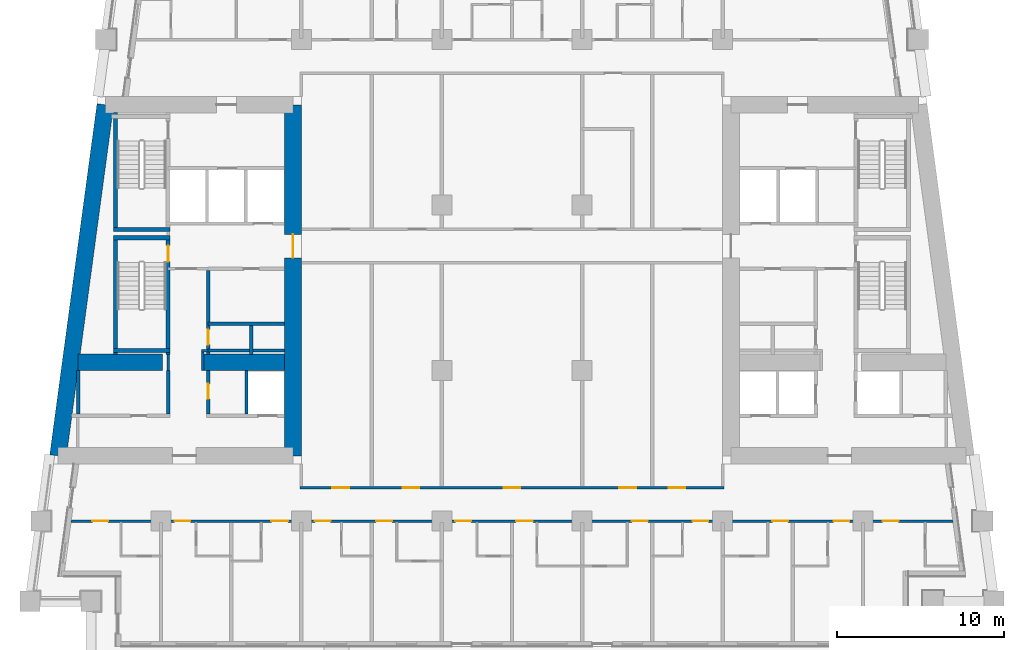
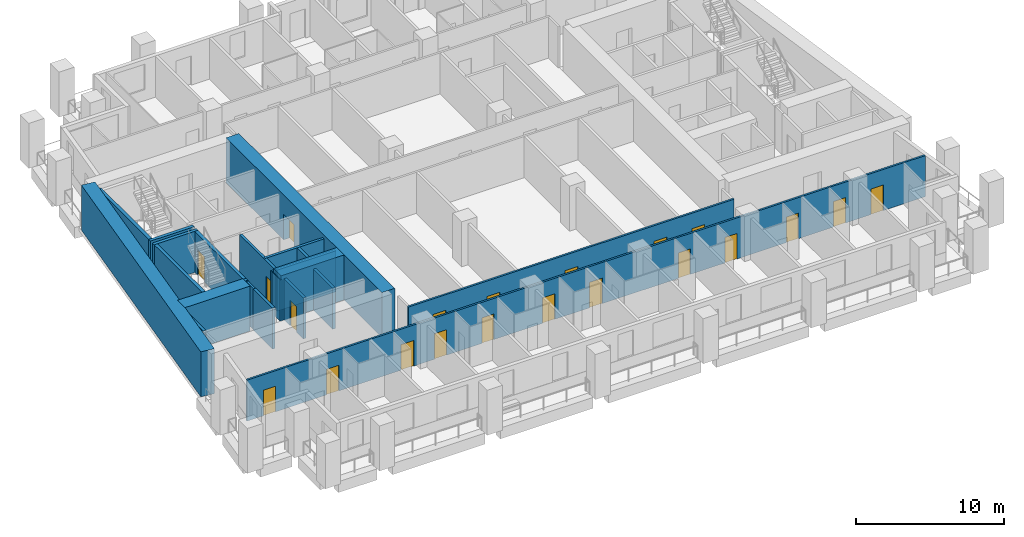
# One storey, part 4 of 14: 23 walls, 21 doors, 21 openings.
"""IFC4 building model written with IfcOpenShell, lengths in metres."""

from ifc_helpers import new_model, si_unit, direction, frame, frame_2d, origin, place, context, subcontext, project, spatial, rectangle, extrude, material, layer, layer_set, type_object, element, fill, save


model = new_model("IFC4")

# Units and contexts
model_context = context("Model", 3, precision=1e-05, world=origin(), true_north=direction((0.0, 1.0)))
body_context = subcontext(model_context, "Body", "Model", "MODEL_VIEW")
ifc_project = project(units=[si_unit("LENGTHUNIT", "METRE"), si_unit("AREAUNIT", "SQUARE_METRE"), si_unit("VOLUMEUNIT", "CUBIC_METRE"), si_unit("PLANEANGLEUNIT", "RADIAN"), si_unit("MASSUNIT", "GRAM", prefix="KILO")], contexts=[model_context])

# Site, building, storey
site_placement = place(None, origin())
site = spatial("IfcSite", under=ifc_project, at=site_placement, CompositionType="ELEMENT")
building_placement = place(site_placement, origin())
building = spatial("IfcBuilding", under=site, at=building_placement, Name="Candeia Pilgrim Tower and Theatre", CompositionType="ELEMENT")
storey_placement = place(building_placement, frame((0.0, 0.0, 120.60009765625)))
storey = spatial("IfcBuildingStorey", under=building, at=storey_placement, Name="L28", CompositionType="ELEMENT", Elevation=120.60009765625)

# Wall, opening, door
ifc_material_1 = material(Name="Concrete C70/85", Category="concrete")
ifc_layer_1 = layer(ifc_material_1, 1.0)
ifc_layer_set_1 = layer_set([ifc_layer_1], Name="Core wall 1000 C70/85")
wall_type_1 = type_object("IfcWallType", Name="Core wall 1000 C70/85", PredefinedType="SHEAR", material=ifc_layer_set_1)
wall_1_placement = place(storey_placement, frame((100.300048828125, 131.89990234375, 0.0), z_axis=(0.0, 0.0, 1.0), x_axis=(0.0, -1.0, 0.0)))
wall_1 = element("IfcWall", 1, at=wall_1_placement, inside=storey, type_object=wall_type_1, Name="Core wall W2", PredefinedType="SHEAR", context=body_context, shape_type="SweptSolid", body=[
    extrude(rectangle(XDim=21.0, YDim=1.0, at=frame_2d((10.5, 0.0))), origin(), (0.0, 0.0, 1.0), 3.699951171875),
])
opening_1_placement = place(wall_1_placement, frame((7.75, 0.0, 0.0)))
opening_1 = element("IfcOpeningElement", 2, at=opening_1_placement, cuts=wall_1, Name="Opening L28-D066", PredefinedType="OPENING", context=body_context, shape_type="SweptSolid", body=[
    extrude(rectangle(XDim=1.39990234375, YDim=2.10009765625, at=frame_2d((0.699951171875, 1.050048828125))), frame((0.0, 0.510009765625, 0.0), z_axis=(0.0, -1.0, 0.0), x_axis=(1.0, 0.0, 0.0)), (0.0, 0.0, 1.0), 1.02001953125),
])
ifc_material_2 = material(Name="Steel fire door set", Category="steel")
door_type_1 = type_object("IfcDoorType", Name="D-1400-FD60", OperationType="NOTDEFINED", PredefinedType="DOOR", material=ifc_material_2)
door_1_placement = place(opening_1_placement, origin())
door_1 = element("IfcDoor", 3, at=door_1_placement, inside=storey, type_object=door_type_1, Name="Door L28-D066", OperationType="SINGLE_SWING_RIGHT", OverallHeight=2.10009765625, OverallWidth=1.39990234375, PredefinedType="DOOR", context=body_context, shape_type="SweptSolid", body=[
    extrude(rectangle(XDim=1.39990234375, YDim=2.10009765625, at=frame_2d((0.699951171875, 1.050048828125))), frame((0.0, 0.02490234375, 0.0), z_axis=(0.0, -1.0, 0.0), x_axis=(1.0, 0.0, 0.0)), (0.0, 0.0, 1.0), 0.050048828125),
])
fill(opening_1, door_1)

# Walls
wall_2_placement = place(storey_placement, frame((86.240966796875, 110.89990234375, 0.0), z_axis=(0.0, 0.0, 1.0), x_axis=(0.133411141623, 0.991060778808, 0.0)))
element("IfcWall", 4, at=wall_2_placement, inside=storey, type_object=wall_type_1, Name="Core wall W4", PredefinedType="SHEAR", context=body_context, shape_type="SweptSolid", body=[
    extrude(rectangle(XDim=21.189453125, YDim=1.0, at=frame_2d((10.5947265625, 0.0))), origin(), (0.0, 0.0, 1.0), 3.699951171875),
])
wall_3_placement = place(storey_placement, frame((87.423095703125, 116.5, 0.0), z_axis=(0.0, 0.0, 1.0), x_axis=(1.0, 0.0, 0.0)))
element("IfcWall", 5, at=wall_3_placement, inside=storey, type_object=wall_type_1, Name="Core wall W5", PredefinedType="SHEAR", context=body_context, shape_type="SweptSolid", body=[
    extrude(rectangle(XDim=5.076904296875, YDim=1.0, at=frame_2d((2.53857421875, 0.0))), origin(), (0.0, 0.0, 1.0), 3.699951171875),
])
wall_4_placement = place(storey_placement, frame((94.89990234375, 116.5, 0.0), z_axis=(0.0, 0.0, 1.0), x_axis=(1.0, 0.0, 0.0)))
element("IfcWall", 6, at=wall_4_placement, inside=storey, type_object=wall_type_1, Name="Core wall W6", PredefinedType="SHEAR", context=body_context, shape_type="SweptSolid", body=[
    extrude(rectangle(XDim=4.900146484375, YDim=1.0, at=frame_2d((2.4501953125, 0.0))), origin(), (0.0, 0.0, 1.0), 3.699951171875),
])
ifc_material_3 = material(Name="Gypsum board partition on steel studs", Category="steel")
ifc_layer_2 = layer(ifc_material_3, 0.14990234375)
ifc_layer_set_2 = layer_set([ifc_layer_2], Name="PW-150 lobby wall")
wall_type_2 = type_object("IfcWallType", Name="PW-150 lobby wall", PredefinedType="PARTITIONING", material=ifc_layer_set_2)
wall_5_placement = place(storey_placement, frame((94.824951171875, 117.199951171875, 0.0), z_axis=(0.0, 0.0, 1.0), x_axis=(1.0, 0.0, 0.0)))
element("IfcWall", 7, at=wall_5_placement, inside=storey, type_object=wall_type_2, Name="Lobby wall L28-020", PredefinedType="PARTITIONING", context=body_context, shape_type="SweptSolid", body=[
    extrude(rectangle(XDim=0.402099609375, YDim=0.14990234375, at=frame_2d((0.201171875, 0.0))), origin(), (0.0, 0.0, 1.0), 3.3798828125),
])
wall_6_placement = place(storey_placement, frame((92.826904296875, 116.0, 0.0), z_axis=(0.0, 0.0, 1.0), x_axis=(0.0, 1.0, 0.0)))
element("IfcWall", 8, at=wall_6_placement, inside=storey, type_object=wall_type_2, Name="Lobby wall L28-060", PredefinedType="PARTITIONING", context=body_context, shape_type="SweptSolid", body=[
    extrude(rectangle(XDim=0.969970703125, YDim=0.14990234375, at=frame_2d((0.48486328125, 0.0))), origin(), (0.0, 0.0, 1.0), 3.3798828125),
])
wall_7_placement = place(storey_placement, frame((94.89990234375, 116.0, 0.0), z_axis=(0.0, 0.0, 1.0), x_axis=(0.0, 1.0, 0.0)))
element("IfcWall", 9, at=wall_7_placement, inside=storey, type_object=wall_type_2, Name="Lobby wall L28-066", PredefinedType="PARTITIONING", context=body_context, shape_type="SweptSolid", body=[
    extrude(rectangle(XDim=1.125, YDim=0.14990234375, at=frame_2d((0.5625, 0.0))), origin(), (0.0, 0.0, 1.0), 3.3798828125),
])

# Wall, openings, doors
ifc_layer_3 = layer(ifc_material_3, 0.14990234375)
ifc_layer_set_3 = layer_set([ifc_layer_3], Name="PW-150 unit wall")
wall_type_3 = type_object("IfcWallType", Name="PW-150 unit wall", PredefinedType="PARTITIONING", material=ifc_layer_set_3)
wall_8_placement = place(storey_placement, frame((87.017578125, 107.0, 0.0), z_axis=(0.0, 0.0, 1.0), x_axis=(1.0, 0.0, 0.0)))
wall_8 = element("IfcWall", 10, at=wall_8_placement, inside=storey, type_object=wall_type_3, Name="Unit wall L28-012", PredefinedType="PARTITIONING", context=body_context, shape_type="SweptSolid", body=[
    extrude(rectangle(XDim=52.7646484375, YDim=0.14990234375, at=frame_2d((26.38232421875, 0.0))), origin(), (0.0, 0.0, 1.0), 3.3798828125),
])
opening_2_placement = place(wall_8_placement, frame((1.2763671875, 0.0, 0.0)))
opening_2 = element("IfcOpeningElement", 11, at=opening_2_placement, cuts=wall_8, Name="Opening L28-D014", PredefinedType="OPENING", context=body_context, shape_type="SweptSolid", body=[
    extrude(rectangle(XDim=0.949951171875, YDim=2.10009765625, at=frame_2d((0.47509765625, 1.050048828125))), frame((0.0, 0.0849609375, 0.0), z_axis=(0.0, -1.0, 0.0), x_axis=(1.0, 0.0, 0.0)), (0.0, 0.0, 1.0), 0.169921875),
])
opening_3_placement = place(wall_8_placement, frame((6.1923828125, 0.0, 0.0)))
opening_3 = element("IfcOpeningElement", 12, at=opening_3_placement, cuts=wall_8, Name="Opening L28-D016", PredefinedType="OPENING", context=body_context, shape_type="SweptSolid", body=[
    extrude(rectangle(XDim=0.949951171875, YDim=2.10009765625, at=frame_2d((0.47509765625, 1.050048828125))), frame((0.0, 0.0849609375, 0.0), z_axis=(0.0, -1.0, 0.0), x_axis=(1.0, 0.0, 0.0)), (0.0, 0.0, 1.0), 0.169921875),
])
opening_4_placement = place(wall_8_placement, frame((11.982421875, 0.0, 0.0)))
opening_4 = element("IfcOpeningElement", 13, at=opening_4_placement, cuts=wall_8, Name="Opening L28-D018", PredefinedType="OPENING", context=body_context, shape_type="SweptSolid", body=[
    extrude(rectangle(XDim=1.0, YDim=2.10009765625, at=frame_2d((0.5, 1.050048828125))), frame((0.0, 0.0849609375, 0.0), z_axis=(0.0, -1.0, 0.0), x_axis=(1.0, 0.0, 0.0)), (0.0, 0.0, 1.0), 0.169921875),
])
opening_5_placement = place(wall_8_placement, frame((14.582275390625, 0.0, 0.0)))
opening_5 = element("IfcOpeningElement", 14, at=opening_5_placement, cuts=wall_8, Name="Opening L28-D020", PredefinedType="OPENING", context=body_context, shape_type="SweptSolid", body=[
    extrude(rectangle(XDim=0.949951171875, YDim=2.10009765625, at=frame_2d((0.47509765625, 1.050048828125))), frame((0.0, 0.0849609375, 0.0), z_axis=(0.0, -1.0, 0.0), x_axis=(1.0, 0.0, 0.0)), (0.0, 0.0, 1.0), 0.169921875),
])
opening_6_placement = place(wall_8_placement, frame((18.25732421875, 0.0, 0.0)))
opening_6 = element("IfcOpeningElement", 15, at=opening_6_placement, cuts=wall_8, Name="Opening L28-D022", PredefinedType="OPENING", context=body_context, shape_type="SweptSolid", body=[
    extrude(rectangle(XDim=0.949951171875, YDim=2.10009765625, at=frame_2d((0.47509765625, 1.050048828125))), frame((0.0, 0.0849609375, 0.0), z_axis=(0.0, -1.0, 0.0), x_axis=(1.0, 0.0, 0.0)), (0.0, 0.0, 1.0), 0.169921875),
])
opening_7_placement = place(wall_8_placement, frame((22.9921875, 0.0, 0.0)))
opening_7 = element("IfcOpeningElement", 16, at=opening_7_placement, cuts=wall_8, Name="Opening L28-D024", PredefinedType="OPENING", context=body_context, shape_type="SweptSolid", body=[
    extrude(rectangle(XDim=0.949951171875, YDim=2.10009765625, at=frame_2d((0.47509765625, 1.050048828125))), frame((0.0, 0.0849609375, 0.0), z_axis=(0.0, -1.0, 0.0), x_axis=(1.0, 0.0, 0.0)), (0.0, 0.0, 1.0), 0.169921875),
])
opening_8_placement = place(wall_8_placement, frame((26.63232421875, 0.0, 0.0)))
opening_8 = element("IfcOpeningElement", 17, at=opening_8_placement, cuts=wall_8, Name="Opening L28-D026", PredefinedType="OPENING", context=body_context, shape_type="SweptSolid", body=[
    extrude(rectangle(XDim=1.0, YDim=2.10009765625, at=frame_2d((0.5, 1.050048828125))), frame((0.0, 0.0849609375, 0.0), z_axis=(0.0, -1.0, 0.0), x_axis=(1.0, 0.0, 0.0)), (0.0, 0.0, 1.0), 0.169921875),
])
opening_9_placement = place(wall_8_placement, frame((33.557373046875, 0.0, 0.0)))
opening_9 = element("IfcOpeningElement", 18, at=opening_9_placement, cuts=wall_8, Name="Opening L28-D028", PredefinedType="OPENING", context=body_context, shape_type="SweptSolid", body=[
    extrude(rectangle(XDim=0.949951171875, YDim=2.10009765625, at=frame_2d((0.47509765625, 1.050048828125))), frame((0.0, 0.0849609375, 0.0), z_axis=(0.0, -1.0, 0.0), x_axis=(1.0, 0.0, 0.0)), (0.0, 0.0, 1.0), 0.169921875),
])
opening_10_placement = place(wall_8_placement, frame((37.182373046875, 0.0, 0.0)))
opening_10 = element("IfcOpeningElement", 19, at=opening_10_placement, cuts=wall_8, Name="Opening L28-D030", PredefinedType="OPENING", context=body_context, shape_type="SweptSolid", body=[
    extrude(rectangle(XDim=0.949951171875, YDim=2.10009765625, at=frame_2d((0.47509765625, 1.050048828125))), frame((0.0, 0.0849609375, 0.0), z_axis=(0.0, -1.0, 0.0), x_axis=(1.0, 0.0, 0.0)), (0.0, 0.0, 1.0), 0.169921875),
])
opening_11_placement = place(wall_8_placement, frame((41.957275390625, 0.0, 0.0)))
opening_11 = element("IfcOpeningElement", 20, at=opening_11_placement, cuts=wall_8, Name="Opening L28-D032", PredefinedType="OPENING", context=body_context, shape_type="SweptSolid", body=[
    extrude(rectangle(XDim=0.949951171875, YDim=2.10009765625, at=frame_2d((0.47509765625, 1.050048828125))), frame((0.0, 0.0849609375, 0.0), z_axis=(0.0, -1.0, 0.0), x_axis=(1.0, 0.0, 0.0)), (0.0, 0.0, 1.0), 0.169921875),
])
opening_12_placement = place(wall_8_placement, frame((45.622314453125, 0.0, 0.0)))
opening_12 = element("IfcOpeningElement", 21, at=opening_12_placement, cuts=wall_8, Name="Opening L28-D034", PredefinedType="OPENING", context=body_context, shape_type="SweptSolid", body=[
    extrude(rectangle(XDim=0.949951171875, YDim=2.10009765625, at=frame_2d((0.47509765625, 1.050048828125))), frame((0.0, 0.0849609375, 0.0), z_axis=(0.0, -1.0, 0.0), x_axis=(1.0, 0.0, 0.0)), (0.0, 0.0, 1.0), 0.169921875),
])
opening_13_placement = place(wall_8_placement, frame((48.560302734375, 0.0, 0.0)))
opening_13 = element("IfcOpeningElement", 22, at=opening_13_placement, cuts=wall_8, Name="Opening L28-D036", PredefinedType="OPENING", context=body_context, shape_type="SweptSolid", body=[
    extrude(rectangle(XDim=0.949951171875, YDim=2.10009765625, at=frame_2d((0.47509765625, 1.050048828125))), frame((0.0, 0.0849609375, 0.0), z_axis=(0.0, -1.0, 0.0), x_axis=(1.0, 0.0, 0.0)), (0.0, 0.0, 1.0), 0.169921875),
])
door_type_2 = type_object("IfcDoorType", Name="D-1000-FD30S", OperationType="NOTDEFINED", PredefinedType="DOOR", material=ifc_material_2)
door_2_placement = place(opening_4_placement, origin())
door_2 = element("IfcDoor", 23, at=door_2_placement, inside=storey, type_object=door_type_2, Name="Door L28-D018", OperationType="SINGLE_SWING_RIGHT", OverallHeight=2.10009765625, OverallWidth=1.0, PredefinedType="DOOR", context=body_context, shape_type="SweptSolid", body=[
    extrude(rectangle(XDim=1.0, YDim=2.10009765625, at=frame_2d((0.5, 1.050048828125))), frame((0.0, 0.02490234375, 0.0), z_axis=(0.0, -1.0, 0.0), x_axis=(1.0, 0.0, 0.0)), (0.0, 0.0, 1.0), 0.050048828125),
])
fill(opening_4, door_2)
door_3_placement = place(opening_8_placement, origin())
door_3 = element("IfcDoor", 24, at=door_3_placement, inside=storey, type_object=door_type_2, Name="Door L28-D026", OperationType="SINGLE_SWING_RIGHT", OverallHeight=2.10009765625, OverallWidth=1.0, PredefinedType="DOOR", context=body_context, shape_type="SweptSolid", body=[
    extrude(rectangle(XDim=1.0, YDim=2.10009765625, at=frame_2d((0.5, 1.050048828125))), frame((0.0, 0.02490234375, 0.0), z_axis=(0.0, -1.0, 0.0), x_axis=(1.0, 0.0, 0.0)), (0.0, 0.0, 1.0), 0.050048828125),
])
fill(opening_8, door_3)
door_type_3 = type_object("IfcDoorType", Name="D-950-FD30S", OperationType="NOTDEFINED", PredefinedType="DOOR", material=ifc_material_2)
door_4_placement = place(opening_2_placement, origin())
door_4 = element("IfcDoor", 25, at=door_4_placement, inside=storey, type_object=door_type_3, Name="Door L28-D014", OperationType="SINGLE_SWING_RIGHT", OverallHeight=2.10009765625, OverallWidth=0.949951171875, PredefinedType="DOOR", context=body_context, shape_type="SweptSolid", body=[
    extrude(rectangle(XDim=0.949951171875, YDim=2.10009765625, at=frame_2d((0.47509765625, 1.050048828125))), frame((0.0, 0.02490234375, 0.0), z_axis=(0.0, -1.0, 0.0), x_axis=(1.0, 0.0, 0.0)), (0.0, 0.0, 1.0), 0.050048828125),
])
fill(opening_2, door_4)
door_5_placement = place(opening_3_placement, origin())
door_5 = element("IfcDoor", 26, at=door_5_placement, inside=storey, type_object=door_type_3, Name="Door L28-D016", OperationType="SINGLE_SWING_RIGHT", OverallHeight=2.10009765625, OverallWidth=0.949951171875, PredefinedType="DOOR", context=body_context, shape_type="SweptSolid", body=[
    extrude(rectangle(XDim=0.949951171875, YDim=2.10009765625, at=frame_2d((0.47509765625, 1.050048828125))), frame((0.0, 0.02490234375, 0.0), z_axis=(0.0, -1.0, 0.0), x_axis=(1.0, 0.0, 0.0)), (0.0, 0.0, 1.0), 0.050048828125),
])
fill(opening_3, door_5)
door_6_placement = place(opening_5_placement, origin())
door_6 = element("IfcDoor", 27, at=door_6_placement, inside=storey, type_object=door_type_3, Name="Door L28-D020", OperationType="SINGLE_SWING_RIGHT", OverallHeight=2.10009765625, OverallWidth=0.949951171875, PredefinedType="DOOR", context=body_context, shape_type="SweptSolid", body=[
    extrude(rectangle(XDim=0.949951171875, YDim=2.10009765625, at=frame_2d((0.47509765625, 1.050048828125))), frame((0.0, 0.02490234375, 0.0), z_axis=(0.0, -1.0, 0.0), x_axis=(1.0, 0.0, 0.0)), (0.0, 0.0, 1.0), 0.050048828125),
])
fill(opening_5, door_6)
door_7_placement = place(opening_6_placement, origin())
door_7 = element("IfcDoor", 28, at=door_7_placement, inside=storey, type_object=door_type_3, Name="Door L28-D022", OperationType="SINGLE_SWING_RIGHT", OverallHeight=2.10009765625, OverallWidth=0.949951171875, PredefinedType="DOOR", context=body_context, shape_type="SweptSolid", body=[
    extrude(rectangle(XDim=0.949951171875, YDim=2.10009765625, at=frame_2d((0.47509765625, 1.050048828125))), frame((0.0, 0.02490234375, 0.0), z_axis=(0.0, -1.0, 0.0), x_axis=(1.0, 0.0, 0.0)), (0.0, 0.0, 1.0), 0.050048828125),
])
fill(opening_6, door_7)
door_8_placement = place(opening_7_placement, origin())
door_8 = element("IfcDoor", 29, at=door_8_placement, inside=storey, type_object=door_type_3, Name="Door L28-D024", OperationType="SINGLE_SWING_RIGHT", OverallHeight=2.10009765625, OverallWidth=0.949951171875, PredefinedType="DOOR", context=body_context, shape_type="SweptSolid", body=[
    extrude(rectangle(XDim=0.949951171875, YDim=2.10009765625, at=frame_2d((0.47509765625, 1.050048828125))), frame((0.0, 0.02490234375, 0.0), z_axis=(0.0, -1.0, 0.0), x_axis=(1.0, 0.0, 0.0)), (0.0, 0.0, 1.0), 0.050048828125),
])
fill(opening_7, door_8)
door_9_placement = place(opening_9_placement, origin())
door_9 = element("IfcDoor", 30, at=door_9_placement, inside=storey, type_object=door_type_3, Name="Door L28-D028", OperationType="SINGLE_SWING_RIGHT", OverallHeight=2.10009765625, OverallWidth=0.949951171875, PredefinedType="DOOR", context=body_context, shape_type="SweptSolid", body=[
    extrude(rectangle(XDim=0.949951171875, YDim=2.10009765625, at=frame_2d((0.47509765625, 1.050048828125))), frame((0.0, 0.02490234375, 0.0), z_axis=(0.0, -1.0, 0.0), x_axis=(1.0, 0.0, 0.0)), (0.0, 0.0, 1.0), 0.050048828125),
])
fill(opening_9, door_9)
door_10_placement = place(opening_10_placement, origin())
door_10 = element("IfcDoor", 31, at=door_10_placement, inside=storey, type_object=door_type_3, Name="Door L28-D030", OperationType="SINGLE_SWING_RIGHT", OverallHeight=2.10009765625, OverallWidth=0.949951171875, PredefinedType="DOOR", context=body_context, shape_type="SweptSolid", body=[
    extrude(rectangle(XDim=0.949951171875, YDim=2.10009765625, at=frame_2d((0.47509765625, 1.050048828125))), frame((0.0, 0.02490234375, 0.0), z_axis=(0.0, -1.0, 0.0), x_axis=(1.0, 0.0, 0.0)), (0.0, 0.0, 1.0), 0.050048828125),
])
fill(opening_10, door_10)
door_11_placement = place(opening_11_placement, origin())
door_11 = element("IfcDoor", 32, at=door_11_placement, inside=storey, type_object=door_type_3, Name="Door L28-D032", OperationType="SINGLE_SWING_RIGHT", OverallHeight=2.10009765625, OverallWidth=0.949951171875, PredefinedType="DOOR", context=body_context, shape_type="SweptSolid", body=[
    extrude(rectangle(XDim=0.949951171875, YDim=2.10009765625, at=frame_2d((0.47509765625, 1.050048828125))), frame((0.0, 0.02490234375, 0.0), z_axis=(0.0, -1.0, 0.0), x_axis=(1.0, 0.0, 0.0)), (0.0, 0.0, 1.0), 0.050048828125),
])
fill(opening_11, door_11)
door_12_placement = place(opening_12_placement, origin())
door_12 = element("IfcDoor", 33, at=door_12_placement, inside=storey, type_object=door_type_3, Name="Door L28-D034", OperationType="SINGLE_SWING_RIGHT", OverallHeight=2.10009765625, OverallWidth=0.949951171875, PredefinedType="DOOR", context=body_context, shape_type="SweptSolid", body=[
    extrude(rectangle(XDim=0.949951171875, YDim=2.10009765625, at=frame_2d((0.47509765625, 1.050048828125))), frame((0.0, 0.02490234375, 0.0), z_axis=(0.0, -1.0, 0.0), x_axis=(1.0, 0.0, 0.0)), (0.0, 0.0, 1.0), 0.050048828125),
])
fill(opening_12, door_12)
door_13_placement = place(opening_13_placement, origin())
door_13 = element("IfcDoor", 34, at=door_13_placement, inside=storey, type_object=door_type_3, Name="Door L28-D036", OperationType="SINGLE_SWING_RIGHT", OverallHeight=2.10009765625, OverallWidth=0.949951171875, PredefinedType="DOOR", context=body_context, shape_type="SweptSolid", body=[
    extrude(rectangle(XDim=0.949951171875, YDim=2.10009765625, at=frame_2d((0.47509765625, 1.050048828125))), frame((0.0, 0.02490234375, 0.0), z_axis=(0.0, -1.0, 0.0), x_axis=(1.0, 0.0, 0.0)), (0.0, 0.0, 1.0), 0.050048828125),
])
fill(opening_13, door_13)

wall_9_placement = place(storey_placement, frame((100.72509765625, 109.0, 0.0), z_axis=(0.0, 0.0, 1.0), x_axis=(1.0, 0.0, 0.0)))
wall_9 = element("IfcWall", 35, at=wall_9_placement, inside=storey, type_object=wall_type_3, Name="Unit wall L28-013", PredefinedType="PARTITIONING", context=body_context, shape_type="SweptSolid", body=[
    extrude(rectangle(XDim=25.349853515625, YDim=0.14990234375, at=frame_2d((12.6748046875, 0.0))), origin(), (0.0, 0.0, 1.0), 3.3798828125),
])
opening_14_placement = place(wall_9_placement, frame((1.925048828125, 0.0, 0.0)))
opening_14 = element("IfcOpeningElement", 36, at=opening_14_placement, cuts=wall_9, Name="Opening L28-D054", PredefinedType="OPENING", context=body_context, shape_type="SweptSolid", body=[
    extrude(rectangle(XDim=1.0, YDim=2.10009765625, at=frame_2d((0.5, 1.050048828125))), frame((0.0, 0.0849609375, 0.0), z_axis=(0.0, -1.0, 0.0), x_axis=(1.0, 0.0, 0.0)), (0.0, 0.0, 1.0), 0.169921875),
])
opening_15_placement = place(wall_9_placement, frame((6.125, 0.0, 0.0)))
opening_15 = element("IfcOpeningElement", 37, at=opening_15_placement, cuts=wall_9, Name="Opening L28-D055", PredefinedType="OPENING", context=body_context, shape_type="SweptSolid", body=[
    extrude(rectangle(XDim=1.0, YDim=2.10009765625, at=frame_2d((0.5, 1.050048828125))), frame((0.0, 0.0849609375, 0.0), z_axis=(0.0, -1.0, 0.0), x_axis=(1.0, 0.0, 0.0)), (0.0, 0.0, 1.0), 0.169921875),
])
opening_16_placement = place(wall_9_placement, frame((12.175048828125, 0.0, 0.0)))
opening_16 = element("IfcOpeningElement", 38, at=opening_16_placement, cuts=wall_9, Name="Opening L28-D056", PredefinedType="OPENING", context=body_context, shape_type="SweptSolid", body=[
    extrude(rectangle(XDim=1.0, YDim=2.10009765625, at=frame_2d((0.5, 1.050048828125))), frame((0.0, 0.0849609375, 0.0), z_axis=(0.0, -1.0, 0.0), x_axis=(1.0, 0.0, 0.0)), (0.0, 0.0, 1.0), 0.169921875),
])
opening_17_placement = place(wall_9_placement, frame((19.10009765625, 0.0, 0.0)))
opening_17 = element("IfcOpeningElement", 39, at=opening_17_placement, cuts=wall_9, Name="Opening L28-D057", PredefinedType="OPENING", context=body_context, shape_type="SweptSolid", body=[
    extrude(rectangle(XDim=1.0, YDim=2.10009765625, at=frame_2d((0.5, 1.050048828125))), frame((0.0, 0.0849609375, 0.0), z_axis=(0.0, -1.0, 0.0), x_axis=(1.0, 0.0, 0.0)), (0.0, 0.0, 1.0), 0.169921875),
])
opening_18_placement = place(wall_9_placement, frame((22.050048828125, 0.0, 0.0)))
opening_18 = element("IfcOpeningElement", 40, at=opening_18_placement, cuts=wall_9, Name="Opening L28-D058", PredefinedType="OPENING", context=body_context, shape_type="SweptSolid", body=[
    extrude(rectangle(XDim=1.0, YDim=2.10009765625, at=frame_2d((0.5, 1.050048828125))), frame((0.0, 0.0849609375, 0.0), z_axis=(0.0, -1.0, 0.0), x_axis=(1.0, 0.0, 0.0)), (0.0, 0.0, 1.0), 0.169921875),
])
door_14_placement = place(opening_14_placement, origin())
door_14 = element("IfcDoor", 41, at=door_14_placement, inside=storey, type_object=door_type_2, Name="Door L28-D054", OperationType="SINGLE_SWING_RIGHT", OverallHeight=2.10009765625, OverallWidth=1.0, PredefinedType="DOOR", context=body_context, shape_type="SweptSolid", body=[
    extrude(rectangle(XDim=1.0, YDim=2.10009765625, at=frame_2d((0.5, 1.050048828125))), frame((0.0, 0.02490234375, 0.0), z_axis=(0.0, -1.0, 0.0), x_axis=(1.0, 0.0, 0.0)), (0.0, 0.0, 1.0), 0.050048828125),
])
fill(opening_14, door_14)
door_15_placement = place(opening_15_placement, origin())
door_15 = element("IfcDoor", 42, at=door_15_placement, inside=storey, type_object=door_type_2, Name="Door L28-D055", OperationType="SINGLE_SWING_LEFT", OverallHeight=2.10009765625, OverallWidth=1.0, PredefinedType="DOOR", context=body_context, shape_type="SweptSolid", body=[
    extrude(rectangle(XDim=1.0, YDim=2.10009765625, at=frame_2d((0.5, 1.050048828125))), frame((0.0, 0.02490234375, 0.0), z_axis=(0.0, -1.0, 0.0), x_axis=(1.0, 0.0, 0.0)), (0.0, 0.0, 1.0), 0.050048828125),
])
fill(opening_15, door_15)
door_16_placement = place(opening_16_placement, origin())
door_16 = element("IfcDoor", 43, at=door_16_placement, inside=storey, type_object=door_type_2, Name="Door L28-D056", OperationType="SINGLE_SWING_RIGHT", OverallHeight=2.10009765625, OverallWidth=1.0, PredefinedType="DOOR", context=body_context, shape_type="SweptSolid", body=[
    extrude(rectangle(XDim=1.0, YDim=2.10009765625, at=frame_2d((0.5, 1.050048828125))), frame((0.0, 0.02490234375, 0.0), z_axis=(0.0, -1.0, 0.0), x_axis=(1.0, 0.0, 0.0)), (0.0, 0.0, 1.0), 0.050048828125),
])
fill(opening_16, door_16)
door_17_placement = place(opening_17_placement, origin())
door_17 = element("IfcDoor", 44, at=door_17_placement, inside=storey, type_object=door_type_2, Name="Door L28-D057", OperationType="SINGLE_SWING_LEFT", OverallHeight=2.10009765625, OverallWidth=1.0, PredefinedType="DOOR", context=body_context, shape_type="SweptSolid", body=[
    extrude(rectangle(XDim=1.0, YDim=2.10009765625, at=frame_2d((0.5, 1.050048828125))), frame((0.0, 0.02490234375, 0.0), z_axis=(0.0, -1.0, 0.0), x_axis=(1.0, 0.0, 0.0)), (0.0, 0.0, 1.0), 0.050048828125),
])
fill(opening_17, door_17)
door_18_placement = place(opening_18_placement, origin())
door_18 = element("IfcDoor", 45, at=door_18_placement, inside=storey, type_object=door_type_2, Name="Door L28-D058", OperationType="SINGLE_SWING_RIGHT", OverallHeight=2.10009765625, OverallWidth=1.0, PredefinedType="DOOR", context=body_context, shape_type="SweptSolid", body=[
    extrude(rectangle(XDim=1.0, YDim=2.10009765625, at=frame_2d((0.5, 1.050048828125))), frame((0.0, 0.02490234375, 0.0), z_axis=(0.0, -1.0, 0.0), x_axis=(1.0, 0.0, 0.0)), (0.0, 0.0, 1.0), 0.050048828125),
])
fill(opening_18, door_18)

# Walls
ifc_material_4 = material(Name="Concrete C40/50", Category="concrete")
ifc_layer_4 = layer(ifc_material_4, 0.199951171875)
ifc_layer_set_4 = layer_set([ifc_layer_4], Name="SW-200 shaft wall")
wall_type_4 = type_object("IfcWallType", Name="SW-200 shaft wall", PredefinedType="PARTITIONING", material=ifc_layer_set_4)
for number, where, z_axis, x_axis, name in (
    (46, (95.22705078125, 117.199951171875, 0.0), (0.0, 0.0, 1.0), (1.0, 0.0, 0.0), "Shaft wall L28-018"),
    (47, (95.22705078125, 118.800048828125, 0.0), (0.0, 0.0, 1.0), (1.0, 0.0, 0.0), "Shaft wall L28-024"),
):
    element("IfcWall", number, at=place(storey_placement, frame(where, z_axis=z_axis, x_axis=x_axis)), inside=storey, type_object=wall_type_4, Name=name, PredefinedType="PARTITIONING", context=body_context, shape_type="SweptSolid", body=[
        extrude(rectangle(XDim=4.572998046875, YDim=0.199951171875, at=frame_2d((2.28662109375, 0.0))), origin(), (0.0, 0.0, 1.0), 3.3798828125),
    ])
for number, where, z_axis, x_axis, name in (
    (48, (87.451171875, 113.39990234375, 0.0), (0.0, 0.0, 1.0), (0.0, 1.0, 0.0), "Shaft wall L28-053"),
    (49, (92.826904296875, 113.39990234375, 0.0), (0.0, 0.0, 1.0), (0.0, 1.0, 0.0), "Shaft wall L28-059"),
):
    element("IfcWall", number, at=place(storey_placement, frame(where, z_axis=z_axis, x_axis=x_axis)), inside=storey, type_object=wall_type_4, Name=name, PredefinedType="PARTITIONING", context=body_context, shape_type="SweptSolid", body=[
        extrude(rectangle(XDim=2.60009765625, YDim=0.199951171875, at=frame_2d((1.300048828125, 0.0))), origin(), (0.0, 0.0, 1.0), 3.3798828125),
    ])

# Wall, opening, door
wall_10_placement = place(storey_placement, frame((95.22705078125, 113.39990234375, 0.0), z_axis=(0.0, 0.0, 1.0), x_axis=(0.0, 1.0, 0.0)))
wall_10 = element("IfcWall", 50, at=wall_10_placement, inside=storey, type_object=wall_type_4, Name="Shaft wall L28-068", PredefinedType="PARTITIONING", context=body_context, shape_type="SweptSolid", body=[
    extrude(rectangle(XDim=2.60009765625, YDim=0.199951171875, at=frame_2d((1.300048828125, 0.0))), origin(), (0.0, 0.0, 1.0), 3.3798828125),
])
opening_19_placement = place(wall_10_placement, frame((0.909912109375, 0.0, 0.0)))
opening_19 = element("IfcOpeningElement", 51, at=opening_19_placement, cuts=wall_10, Name="Opening L28-D007", PredefinedType="OPENING", context=body_context, shape_type="SweptSolid", body=[
    extrude(rectangle(XDim=0.89990234375, YDim=2.10009765625, at=frame_2d((0.449951171875, 1.050048828125))), frame((0.0, 0.10986328125, 0.0), z_axis=(0.0, -1.0, 0.0), x_axis=(1.0, 0.0, 0.0)), (0.0, 0.0, 1.0), 0.219970703125),
])
door_type_4 = type_object("IfcDoorType", Name="D-900-FD60", OperationType="NOTDEFINED", PredefinedType="DOOR", material=ifc_material_2)
door_19_placement = place(opening_19_placement, origin())
door_19 = element("IfcDoor", 52, at=door_19_placement, inside=storey, type_object=door_type_4, Name="Door L28-D007", OperationType="SINGLE_SWING_RIGHT", OverallHeight=2.10009765625, OverallWidth=0.89990234375, PredefinedType="DOOR", context=body_context, shape_type="SweptSolid", body=[
    extrude(rectangle(XDim=0.89990234375, YDim=2.10009765625, at=frame_2d((0.449951171875, 1.050048828125))), frame((0.0, 0.02490234375, 0.0), z_axis=(0.0, -1.0, 0.0), x_axis=(1.0, 0.0, 0.0)), (0.0, 0.0, 1.0), 0.050048828125),
])
fill(opening_19, door_19)

wall_11_placement = place(storey_placement, frame((95.22705078125, 116.969970703125, 0.0), z_axis=(0.0, 0.0, 1.0), x_axis=(0.0, 1.0, 0.0)))
wall_11 = element("IfcWall", 53, at=wall_11_placement, inside=storey, type_object=wall_type_4, Name="Shaft wall L28-069", PredefinedType="PARTITIONING", context=body_context, shape_type="SweptSolid", body=[
    extrude(rectangle(XDim=5.030029296875, YDim=0.199951171875, at=frame_2d((2.51513671875, 0.0))), origin(), (0.0, 0.0, 1.0), 3.3798828125),
])
opening_20_placement = place(wall_11_placement, frame((0.580078125, 0.0, 0.0)))
opening_20 = element("IfcOpeningElement", 54, at=opening_20_placement, cuts=wall_11, Name="Opening L28-D005", PredefinedType="OPENING", context=body_context, shape_type="SweptSolid", body=[
    extrude(rectangle(XDim=0.89990234375, YDim=2.10009765625, at=frame_2d((0.449951171875, 1.050048828125))), frame((0.0, 0.10986328125, 0.0), z_axis=(0.0, -1.0, 0.0), x_axis=(1.0, 0.0, 0.0)), (0.0, 0.0, 1.0), 0.219970703125),
])
door_20_placement = place(opening_20_placement, origin())
door_20 = element("IfcDoor", 55, at=door_20_placement, inside=storey, type_object=door_type_4, Name="Door L28-D005", OperationType="SINGLE_SWING_LEFT", OverallHeight=2.10009765625, OverallWidth=0.89990234375, PredefinedType="DOOR", context=body_context, shape_type="SweptSolid", body=[
    extrude(rectangle(XDim=0.89990234375, YDim=2.10009765625, at=frame_2d((0.449951171875, 1.050048828125))), frame((0.0, 0.02490234375, 0.0), z_axis=(0.0, -1.0, 0.0), x_axis=(1.0, 0.0, 0.0)), (0.0, 0.0, 1.0), 0.050048828125),
])
fill(opening_20, door_20)

# Walls
wall_12_placement = place(storey_placement, frame((97.513427734375, 113.39990234375, 0.0), z_axis=(0.0, 0.0, 1.0), x_axis=(0.0, 1.0, 0.0)))
element("IfcWall", 56, at=wall_12_placement, inside=storey, type_object=wall_type_4, Name="Shaft wall L28-073", PredefinedType="PARTITIONING", context=body_context, shape_type="SweptSolid", body=[
    extrude(rectangle(XDim=2.60009765625, YDim=0.199951171875, at=frame_2d((1.300048828125, 0.0))), origin(), (0.0, 0.0, 1.0), 3.3798828125),
])
wall_13_placement = place(storey_placement, frame((97.800048828125, 116.969970703125, 0.0), z_axis=(0.0, 0.0, 1.0), x_axis=(0.0, 1.0, 0.0)))
element("IfcWall", 57, at=wall_13_placement, inside=storey, type_object=wall_type_4, Name="Shaft wall L28-074", PredefinedType="PARTITIONING", context=body_context, shape_type="SweptSolid", body=[
    extrude(rectangle(XDim=1.72998046875, YDim=0.199951171875, at=frame_2d((0.864990234375, 0.0))), origin(), (0.0, 0.0, 1.0), 3.3798828125),
])
ifc_layer_5 = layer(ifc_material_4, 0.25)
ifc_layer_set_5 = layer_set([ifc_layer_5], Name="SW-250 stair wall")
wall_type_5 = type_object("IfcWallType", Name="SW-250 stair wall", PredefinedType="PARTITIONING", material=ifc_layer_set_5)
for number, where, z_axis, x_axis, name in (
    (58, (89.552001953125, 117.199951171875, 0.0), (0.0, 0.0, 1.0), (1.0, 0.0, 0.0), "Stair wall L28-022"),
    (59, (89.552001953125, 123.949951171875, 0.0), (0.0, 0.0, 1.0), (1.0, 0.0, 0.0), "Stair wall L28-031"),
    (60, (89.552001953125, 124.449951171875, 0.0), (0.0, 0.0, 1.0), (1.0, 0.0, 0.0), "Stair wall L28-033"),
):
    element("IfcWall", number, at=place(storey_placement, frame(where, z_axis=z_axis, x_axis=x_axis)), inside=storey, type_object=wall_type_5, Name=name, PredefinedType="PARTITIONING", context=body_context, shape_type="SweptSolid", body=[
        extrude(rectangle(XDim=3.39990234375, YDim=0.25, at=frame_2d((1.699951171875, 0.0))), origin(), (0.0, 0.0, 1.0), 3.3798828125),
    ])
for number, where, z_axis, x_axis, name in (
    (61, (89.677001953125, 116.969970703125, 0.0), (0.0, 0.0, 1.0), (0.0, 1.0, 0.0), "Stair wall L28-055"),
    (62, (89.677001953125, 124.574951171875, 0.0), (0.0, 0.0, 1.0), (0.0, 1.0, 0.0), "Stair wall L28-056"),
):
    element("IfcWall", number, at=place(storey_placement, frame(where, z_axis=z_axis, x_axis=x_axis)), inside=storey, type_object=wall_type_5, Name=name, PredefinedType="PARTITIONING", context=body_context, shape_type="SweptSolid", body=[
        extrude(rectangle(XDim=6.85498046875, YDim=0.25, at=frame_2d((3.427490234375, 0.0))), origin(), (0.0, 0.0, 1.0), 3.3798828125),
    ])

# Wall, opening, door
wall_14_placement = place(storey_placement, frame((92.826904296875, 116.969970703125, 0.0), z_axis=(0.0, 0.0, 1.0), x_axis=(0.0, 1.0, 0.0)))
wall_14 = element("IfcWall", 63, at=wall_14_placement, inside=storey, type_object=wall_type_5, Name="Stair wall L28-062", PredefinedType="PARTITIONING", context=body_context, shape_type="SweptSolid", body=[
    extrude(rectangle(XDim=6.85498046875, YDim=0.25, at=frame_2d((3.427490234375, 0.0))), origin(), (0.0, 0.0, 1.0), 3.3798828125),
])
opening_21_placement = place(wall_14_placement, frame((5.554931640625, 0.0, 0.0)))
opening_21 = element("IfcOpeningElement", 64, at=opening_21_placement, cuts=wall_14, Name="Opening L28-D003", PredefinedType="OPENING", context=body_context, shape_type="SweptSolid", body=[
    extrude(rectangle(XDim=0.949951171875, YDim=2.10009765625, at=frame_2d((0.47509765625, 1.050048828125))), frame((0.0, 0.135009765625, 0.0), z_axis=(0.0, -1.0, 0.0), x_axis=(1.0, 0.0, 0.0)), (0.0, 0.0, 1.0), 0.27001953125),
])
door_type_5 = type_object("IfcDoorType", Name="D-950-FD60", OperationType="NOTDEFINED", PredefinedType="DOOR", material=ifc_material_2)
door_21_placement = place(opening_21_placement, origin())
door_21 = element("IfcDoor", 65, at=door_21_placement, inside=storey, type_object=door_type_5, Name="Door L28-D003", OperationType="SINGLE_SWING_LEFT", OverallHeight=2.10009765625, OverallWidth=0.949951171875, PredefinedType="DOOR", context=body_context, shape_type="SweptSolid", body=[
    extrude(rectangle(XDim=0.949951171875, YDim=2.10009765625, at=frame_2d((0.47509765625, 1.050048828125))), frame((0.0, 0.02490234375, 0.0), z_axis=(0.0, -1.0, 0.0), x_axis=(1.0, 0.0, 0.0)), (0.0, 0.0, 1.0), 0.050048828125),
])
fill(opening_21, door_21)

save(model, "model.ifc")
